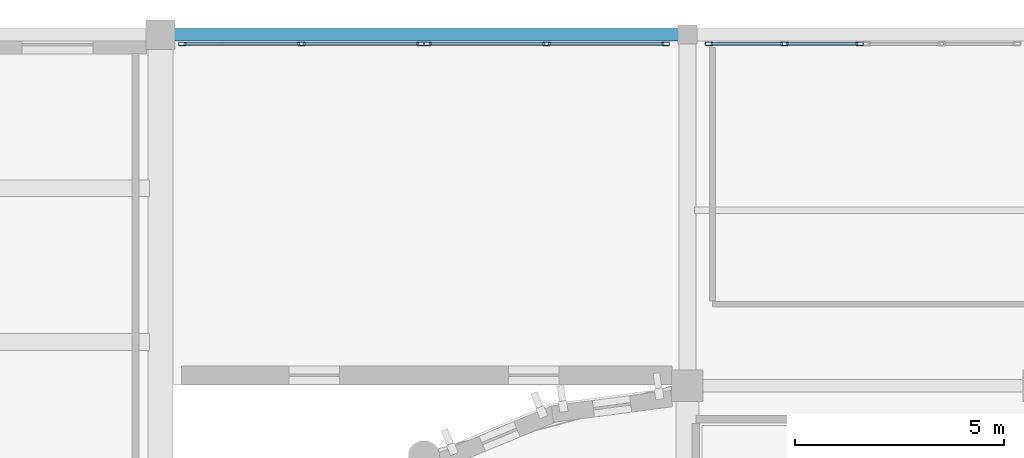
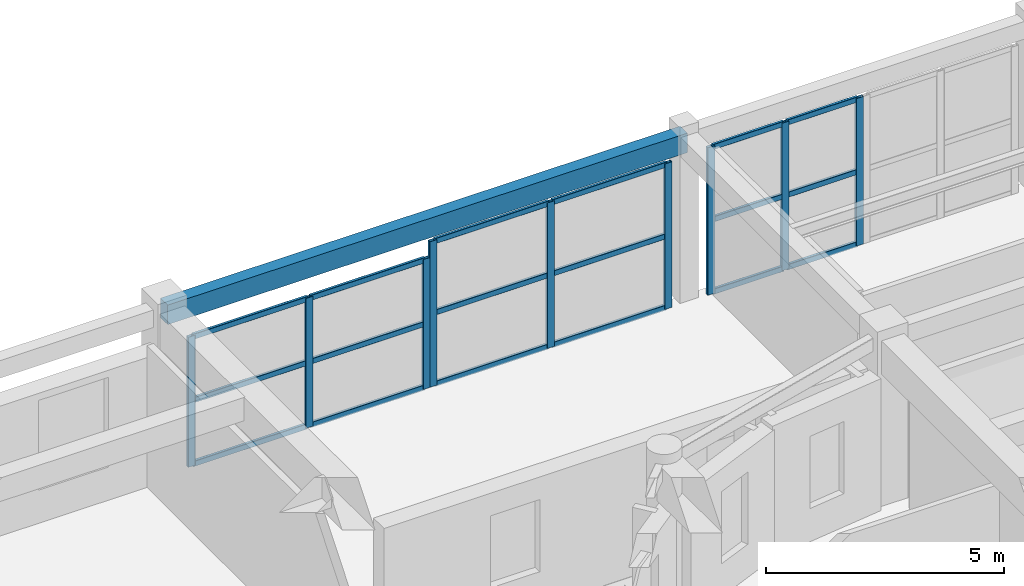
# One storey, part 40 of 91: 27 members, 1 beam, 3 elements without a shape of their own.
"""IFC4 building model written with IfcOpenShell, lengths in metres."""

from ifc_helpers import new_model, si_unit, direction, frame, origin, origin_2d, place, context, subcontext, project, spatial, rectangle, hollow_rectangle, extrude, material, layer, layer_set, material_profile, profile_set, type_object, element, aggregate, save


model = new_model("IFC4")

# Units and contexts
model_context = context("Model", 3, precision=1e-05, world=origin(), true_north=direction((0.0, 1.0)))
body_context = subcontext(model_context, "Body", "Model", "MODEL_VIEW")
ifc_project = project(units=[si_unit("LENGTHUNIT", "METRE"), si_unit("AREAUNIT", "SQUARE_METRE"), si_unit("VOLUMEUNIT", "CUBIC_METRE"), si_unit("PLANEANGLEUNIT", "RADIAN"), si_unit("MASSUNIT", "GRAM", prefix="KILO")], contexts=[model_context])

# Site, building, storey
site_placement = place(None, origin())
site = spatial("IfcSite", under=ifc_project, at=site_placement, CompositionType="ELEMENT")
building_placement = place(site_placement, origin())
building = spatial("IfcBuilding", under=site, at=building_placement, Name="Tarnavel Promenade Courthouse", CompositionType="ELEMENT")
storey_placement = place(building_placement, frame((0.0, 0.0, 9.89990234375)))
storey = spatial("IfcBuildingStorey", under=building, at=storey_placement, Name="L03", CompositionType="ELEMENT", Elevation=9.89990234375)

# Beam
ifc_material_1 = material(Name="Concrete C40/50", Category="concrete")
ifc_material_profile_1 = material_profile(ifc_material_1, rectangle(XDim=0.300048828125, YDim=0.5, at=origin_2d()), Name="RC 300x500")
ifc_profile_set_1 = profile_set([ifc_material_profile_1], Name="Concrete C40/50")
beam_type = type_object("IfcBeamType", Name="Concrete C40/50 BM-SP-300x500 (RC 300x500)", PredefinedType="SPANDREL", material=ifc_profile_set_1)
beam_placement = place(storey_placement, frame((46.199951171875, 112.800048828125, 3.9951171875), z_axis=(1.0, 0.0, 0.0), x_axis=(0.0, 1.0, 0.0)))
element("IfcBeam", 1, at=beam_placement, inside=storey, type_object=beam_type, Name="L03 Primary Longitudinal Beam 1676", PredefinedType="SPANDREL", context=body_context, shape_type="SweptSolid", body=[
    extrude(rectangle(XDim=0.300048828125, YDim=0.5, at=origin_2d()), origin(), (0.0, 0.0, 1.0), 12.60009765625),
])

# Curtain wall, members
ifc_material_2 = material(Name="Thermally Broken Anodised Aluminium Curtain Wall System", Category="aluminium")
ifc_layer = layer(ifc_material_2, 0.199951171875)
ifc_layer_set = layer_set([ifc_layer], Name="Thermally Broken Anodised Aluminium Curtain Wall System")
curtain_wall_type = type_object("IfcCurtainWallType", Name="Thermally Broken Aluminium Triple-Glazed Curtain Wall CW-FOYER", PredefinedType="NOTDEFINED", material=ifc_layer_set)
curtain_wall_1_placement = place(storey_placement, origin())
curtain_wall_1 = element("IfcCurtainWall", 2, at=curtain_wall_1_placement, inside=storey, type_object=curtain_wall_type, Name="L03 North Foyer Curtain Wall A 138", PredefinedType="NOTDEFINED")
ifc_material_3 = material(Name="Thermally Broken Anodised Aluminium Frame", Category="aluminium")
ifc_material_profile_2 = material_profile(ifc_material_3, hollow_rectangle(XDim=0.080078125, YDim=0.179931640625, WallThickness=0.0048828125, InnerFilletRadius=0.0048828125, OuterFilletRadius=0.010009765625, at=origin_2d()), Name="CWM 180x80x5")
ifc_profile_set_2 = profile_set([ifc_material_profile_2], Name="Thermally Broken Anodised Aluminium Frame")
member_type_1 = type_object("IfcMemberType", Name="Thermally Broken Anodised Aluminium CWM-155 (CWM 180x80x5)", PredefinedType="MULLION", material=ifc_profile_set_2)
member_1_placement = place(storey_placement, frame((46.719970703125, 112.580078125, 0.0), z_axis=(0.0, 0.0, 1.0), x_axis=(0.0, 1.0, 0.0)))
member_1 = element("IfcMember", 3, at=member_1_placement, type_object=member_type_1, Name="CW-04 mullion 1", PredefinedType="MULLION", context=body_context, shape_type="SweptSolid", body=[
    extrude(hollow_rectangle(XDim=0.080078125, YDim=0.179931640625, WallThickness=0.0048828125, InnerFilletRadius=0.0048828125, OuterFilletRadius=0.010009765625, at=origin_2d()), origin(), (0.0, 0.0, 1.0), 3.330078125),
])
member_2_placement = place(storey_placement, frame((49.570068359375, 112.580078125, 0.0), z_axis=(0.0, 0.0, 1.0), x_axis=(0.0, 1.0, 0.0)))
member_2 = element("IfcMember", 4, at=member_2_placement, type_object=member_type_1, Name="CW-04 mullion 2", PredefinedType="MULLION", context=body_context, shape_type="SweptSolid", body=[
    extrude(hollow_rectangle(XDim=0.080078125, YDim=0.179931640625, WallThickness=0.0048828125, InnerFilletRadius=0.0048828125, OuterFilletRadius=0.010009765625, at=origin_2d()), origin(), (0.0, 0.0, 1.0), 3.330078125),
])
member_3_placement = place(storey_placement, frame((52.419921875, 112.580078125, 0.0), z_axis=(0.0, 0.0, 1.0), x_axis=(0.0, 1.0, 0.0)))
member_3 = element("IfcMember", 5, at=member_3_placement, type_object=member_type_1, Name="CW-04 mullion 3", PredefinedType="MULLION", context=body_context, shape_type="SweptSolid", body=[
    extrude(hollow_rectangle(XDim=0.080078125, YDim=0.179931640625, WallThickness=0.0048828125, InnerFilletRadius=0.0048828125, OuterFilletRadius=0.010009765625, at=origin_2d()), origin(), (0.0, 0.0, 1.0), 3.330078125),
])

curtain_wall_2_placement = place(storey_placement, origin())
curtain_wall_2 = element("IfcCurtainWall", 6, at=curtain_wall_2_placement, inside=storey, type_object=curtain_wall_type, Name="L03 North Foyer Curtain Wall B 139", PredefinedType="NOTDEFINED")
member_4_placement = place(storey_placement, frame((52.580078125, 112.580078125, 0.0), z_axis=(0.0, 0.0, 1.0), x_axis=(0.0, 1.0, 0.0)))
member_4 = element("IfcMember", 7, at=member_4_placement, type_object=member_type_1, Name="CW-04 mullion 1", PredefinedType="MULLION", context=body_context, shape_type="SweptSolid", body=[
    extrude(hollow_rectangle(XDim=0.080078125, YDim=0.179931640625, WallThickness=0.0048828125, InnerFilletRadius=0.0048828125, OuterFilletRadius=0.010009765625, at=origin_2d()), origin(), (0.0, 0.0, 1.0), 3.72998046875),
])
member_5_placement = place(storey_placement, frame((55.429931640625, 112.580078125, 0.0), z_axis=(0.0, 0.0, 1.0), x_axis=(0.0, 1.0, 0.0)))
member_5 = element("IfcMember", 8, at=member_5_placement, type_object=member_type_1, Name="CW-04 mullion 2", PredefinedType="MULLION", context=body_context, shape_type="SweptSolid", body=[
    extrude(hollow_rectangle(XDim=0.080078125, YDim=0.179931640625, WallThickness=0.0048828125, InnerFilletRadius=0.0048828125, OuterFilletRadius=0.010009765625, at=origin_2d()), origin(), (0.0, 0.0, 1.0), 3.72998046875),
])
member_6_placement = place(storey_placement, frame((58.280029296875, 112.580078125, 0.0), z_axis=(0.0, 0.0, 1.0), x_axis=(0.0, 1.0, 0.0)))
member_6 = element("IfcMember", 9, at=member_6_placement, type_object=member_type_1, Name="CW-04 mullion 3", PredefinedType="MULLION", context=body_context, shape_type="SweptSolid", body=[
    extrude(hollow_rectangle(XDim=0.080078125, YDim=0.179931640625, WallThickness=0.0048828125, InnerFilletRadius=0.0048828125, OuterFilletRadius=0.010009765625, at=origin_2d()), origin(), (0.0, 0.0, 1.0), 3.72998046875),
])

curtain_wall_3_placement = place(storey_placement, origin())
curtain_wall_3 = element("IfcCurtainWall", 10, at=curtain_wall_3_placement, inside=storey, type_object=curtain_wall_type, Name="L03 North Foyer Curtain Wall A 140", PredefinedType="NOTDEFINED")
member_7_placement = place(storey_placement, frame((59.320068359375, 112.580078125, 0.0), z_axis=(0.0, 0.0, 1.0), x_axis=(0.0, 1.0, 0.0)))
member_7 = element("IfcMember", 11, at=member_7_placement, type_object=member_type_1, Name="CW-04 mullion 1", PredefinedType="MULLION", context=body_context, shape_type="SweptSolid", body=[
    extrude(hollow_rectangle(XDim=0.080078125, YDim=0.179931640625, WallThickness=0.0048828125, InnerFilletRadius=0.0048828125, OuterFilletRadius=0.010009765625, at=origin_2d()), origin(), (0.0, 0.0, 1.0), 3.780029296875),
])
member_8_placement = place(storey_placement, frame((61.1201171875, 112.580078125, 0.0), z_axis=(0.0, 0.0, 1.0), x_axis=(0.0, 1.0, 0.0)))
member_8 = element("IfcMember", 12, at=member_8_placement, type_object=member_type_1, Name="CW-04 mullion 2", PredefinedType="MULLION", context=body_context, shape_type="SweptSolid", body=[
    extrude(hollow_rectangle(XDim=0.080078125, YDim=0.179931640625, WallThickness=0.0048828125, InnerFilletRadius=0.0048828125, OuterFilletRadius=0.010009765625, at=origin_2d()), origin(), (0.0, 0.0, 1.0), 3.780029296875),
])
member_9_placement = place(storey_placement, frame((62.919921875, 112.580078125, 0.0), z_axis=(0.0, 0.0, 1.0), x_axis=(0.0, 1.0, 0.0)))
member_9 = element("IfcMember", 13, at=member_9_placement, type_object=member_type_1, Name="CW-04 mullion 3", PredefinedType="MULLION", context=body_context, shape_type="SweptSolid", body=[
    extrude(hollow_rectangle(XDim=0.080078125, YDim=0.179931640625, WallThickness=0.0048828125, InnerFilletRadius=0.0048828125, OuterFilletRadius=0.010009765625, at=origin_2d()), origin(), (0.0, 0.0, 1.0), 3.780029296875),
])

# Member
ifc_material_profile_3 = material_profile(ifc_material_3, hollow_rectangle(XDim=0.070068359375, YDim=0.139892578125, WallThickness=0.0048828125, InnerFilletRadius=0.0048828125, OuterFilletRadius=0.010009765625, at=origin_2d()), Name="CWT 140x70x5")
ifc_profile_set_3 = profile_set([ifc_material_profile_3], Name="Thermally Broken Anodised Aluminium Frame")
member_type_2 = type_object("IfcMemberType", Name="Thermally Broken Anodised Aluminium CWT-125 (CWT 140x70x5)", PredefinedType="USERDEFINED", material=ifc_profile_set_3)
member_10_placement = place(storey_placement, frame((46.760009765625, 112.580078125, 0.03515625), z_axis=(1.0, 0.0, 0.0), x_axis=(0.0, 1.0, 0.0)))
member_10 = element("IfcMember", 14, at=member_10_placement, type_object=member_type_2, Name="CW-04 transom 1.1", ObjectType="TRANSOM", PredefinedType="USERDEFINED", context=body_context, shape_type="SweptSolid", body=[
    extrude(hollow_rectangle(XDim=0.070068359375, YDim=0.139892578125, WallThickness=0.0048828125, InnerFilletRadius=0.0048828125, OuterFilletRadius=0.010009765625, at=origin_2d()), origin(), (0.0, 0.0, 1.0), 2.77001953125),
])

member_11_placement = place(storey_placement, frame((46.760009765625, 112.580078125, 1.6650390625), z_axis=(1.0, 0.0, 0.0), x_axis=(0.0, 1.0, 0.0)))
member_11 = element("IfcMember", 15, at=member_11_placement, type_object=member_type_2, Name="CW-04 transom 1.2", ObjectType="TRANSOM", PredefinedType="USERDEFINED", context=body_context, shape_type="SweptSolid", body=[
    extrude(hollow_rectangle(XDim=0.070068359375, YDim=0.139892578125, WallThickness=0.0048828125, InnerFilletRadius=0.0048828125, OuterFilletRadius=0.010009765625, at=origin_2d()), origin(), (0.0, 0.0, 1.0), 2.77001953125),
])

member_12_placement = place(storey_placement, frame((46.760009765625, 112.580078125, 3.295166015625), z_axis=(1.0, 0.0, 0.0), x_axis=(0.0, 1.0, 0.0)))
member_12 = element("IfcMember", 16, at=member_12_placement, type_object=member_type_2, Name="CW-04 transom 1.3", ObjectType="TRANSOM", PredefinedType="USERDEFINED", context=body_context, shape_type="SweptSolid", body=[
    extrude(hollow_rectangle(XDim=0.070068359375, YDim=0.139892578125, WallThickness=0.0048828125, InnerFilletRadius=0.0048828125, OuterFilletRadius=0.010009765625, at=origin_2d()), origin(), (0.0, 0.0, 1.0), 2.77001953125),
])

member_13_placement = place(storey_placement, frame((49.610107421875, 112.580078125, 0.03515625), z_axis=(1.0, 0.0, 0.0), x_axis=(0.0, 1.0, 0.0)))
member_13 = element("IfcMember", 17, at=member_13_placement, type_object=member_type_2, Name="CW-04 transom 2.1", ObjectType="TRANSOM", PredefinedType="USERDEFINED", context=body_context, shape_type="SweptSolid", body=[
    extrude(hollow_rectangle(XDim=0.070068359375, YDim=0.139892578125, WallThickness=0.0048828125, InnerFilletRadius=0.0048828125, OuterFilletRadius=0.010009765625, at=origin_2d()), origin(), (0.0, 0.0, 1.0), 2.769775390625),
])

member_14_placement = place(storey_placement, frame((49.610107421875, 112.580078125, 1.6650390625), z_axis=(1.0, 0.0, 0.0), x_axis=(0.0, 1.0, 0.0)))
member_14 = element("IfcMember", 18, at=member_14_placement, type_object=member_type_2, Name="CW-04 transom 2.2", ObjectType="TRANSOM", PredefinedType="USERDEFINED", context=body_context, shape_type="SweptSolid", body=[
    extrude(hollow_rectangle(XDim=0.070068359375, YDim=0.139892578125, WallThickness=0.0048828125, InnerFilletRadius=0.0048828125, OuterFilletRadius=0.010009765625, at=origin_2d()), origin(), (0.0, 0.0, 1.0), 2.769775390625),
])

member_15_placement = place(storey_placement, frame((49.610107421875, 112.580078125, 3.295166015625), z_axis=(1.0, 0.0, 0.0), x_axis=(0.0, 1.0, 0.0)))
member_15 = element("IfcMember", 19, at=member_15_placement, type_object=member_type_2, Name="CW-04 transom 2.3", ObjectType="TRANSOM", PredefinedType="USERDEFINED", context=body_context, shape_type="SweptSolid", body=[
    extrude(hollow_rectangle(XDim=0.070068359375, YDim=0.139892578125, WallThickness=0.0048828125, InnerFilletRadius=0.0048828125, OuterFilletRadius=0.010009765625, at=origin_2d()), origin(), (0.0, 0.0, 1.0), 2.769775390625),
])

aggregate(curtain_wall_1, [member_1, member_2, member_3, member_10, member_11, member_12, member_13, member_14, member_15])

member_16_placement = place(storey_placement, frame((52.6201171875, 112.580078125, 0.03515625), z_axis=(1.0, 0.0, 0.0), x_axis=(0.0, 1.0, 0.0)))
member_16 = element("IfcMember", 20, at=member_16_placement, type_object=member_type_2, Name="CW-04 transom 1.1", ObjectType="TRANSOM", PredefinedType="USERDEFINED", context=body_context, shape_type="SweptSolid", body=[
    extrude(hollow_rectangle(XDim=0.070068359375, YDim=0.139892578125, WallThickness=0.0048828125, InnerFilletRadius=0.0048828125, OuterFilletRadius=0.010009765625, at=origin_2d()), origin(), (0.0, 0.0, 1.0), 2.769775390625),
])

member_17_placement = place(storey_placement, frame((52.6201171875, 112.580078125, 1.864990234375), z_axis=(1.0, 0.0, 0.0), x_axis=(0.0, 1.0, 0.0)))
member_17 = element("IfcMember", 21, at=member_17_placement, type_object=member_type_2, Name="CW-04 transom 1.2", ObjectType="TRANSOM", PredefinedType="USERDEFINED", context=body_context, shape_type="SweptSolid", body=[
    extrude(hollow_rectangle(XDim=0.070068359375, YDim=0.139892578125, WallThickness=0.0048828125, InnerFilletRadius=0.0048828125, OuterFilletRadius=0.010009765625, at=origin_2d()), origin(), (0.0, 0.0, 1.0), 2.769775390625),
])

member_18_placement = place(storey_placement, frame((52.6201171875, 112.580078125, 3.695068359375), z_axis=(1.0, 0.0, 0.0), x_axis=(0.0, 1.0, 0.0)))
member_18 = element("IfcMember", 22, at=member_18_placement, type_object=member_type_2, Name="CW-04 transom 1.3", ObjectType="TRANSOM", PredefinedType="USERDEFINED", context=body_context, shape_type="SweptSolid", body=[
    extrude(hollow_rectangle(XDim=0.070068359375, YDim=0.139892578125, WallThickness=0.0048828125, InnerFilletRadius=0.0048828125, OuterFilletRadius=0.010009765625, at=origin_2d()), origin(), (0.0, 0.0, 1.0), 2.769775390625),
])

member_19_placement = place(storey_placement, frame((55.469970703125, 112.580078125, 0.03515625), z_axis=(1.0, 0.0, 0.0), x_axis=(0.0, 1.0, 0.0)))
member_19 = element("IfcMember", 23, at=member_19_placement, type_object=member_type_2, Name="CW-04 transom 2.1", ObjectType="TRANSOM", PredefinedType="USERDEFINED", context=body_context, shape_type="SweptSolid", body=[
    extrude(hollow_rectangle(XDim=0.070068359375, YDim=0.139892578125, WallThickness=0.0048828125, InnerFilletRadius=0.0048828125, OuterFilletRadius=0.010009765625, at=origin_2d()), origin(), (0.0, 0.0, 1.0), 2.77001953125),
])

member_20_placement = place(storey_placement, frame((55.469970703125, 112.580078125, 1.864990234375), z_axis=(1.0, 0.0, 0.0), x_axis=(0.0, 1.0, 0.0)))
member_20 = element("IfcMember", 24, at=member_20_placement, type_object=member_type_2, Name="CW-04 transom 2.2", ObjectType="TRANSOM", PredefinedType="USERDEFINED", context=body_context, shape_type="SweptSolid", body=[
    extrude(hollow_rectangle(XDim=0.070068359375, YDim=0.139892578125, WallThickness=0.0048828125, InnerFilletRadius=0.0048828125, OuterFilletRadius=0.010009765625, at=origin_2d()), origin(), (0.0, 0.0, 1.0), 2.77001953125),
])

member_21_placement = place(storey_placement, frame((55.469970703125, 112.580078125, 3.695068359375), z_axis=(1.0, 0.0, 0.0), x_axis=(0.0, 1.0, 0.0)))
member_21 = element("IfcMember", 25, at=member_21_placement, type_object=member_type_2, Name="CW-04 transom 2.3", ObjectType="TRANSOM", PredefinedType="USERDEFINED", context=body_context, shape_type="SweptSolid", body=[
    extrude(hollow_rectangle(XDim=0.070068359375, YDim=0.139892578125, WallThickness=0.0048828125, InnerFilletRadius=0.0048828125, OuterFilletRadius=0.010009765625, at=origin_2d()), origin(), (0.0, 0.0, 1.0), 2.77001953125),
])

aggregate(curtain_wall_2, [member_4, member_5, member_6, member_16, member_17, member_18, member_19, member_20, member_21])

member_22_placement = place(storey_placement, frame((59.360107421875, 112.580078125, 0.03515625), z_axis=(1.0, 0.0, 0.0), x_axis=(0.0, 1.0, 0.0)))
member_22 = element("IfcMember", 26, at=member_22_placement, type_object=member_type_2, Name="CW-04 transom 1.1", ObjectType="TRANSOM", PredefinedType="USERDEFINED", context=body_context, shape_type="SweptSolid", body=[
    extrude(hollow_rectangle(XDim=0.070068359375, YDim=0.139892578125, WallThickness=0.0048828125, InnerFilletRadius=0.0048828125, OuterFilletRadius=0.010009765625, at=origin_2d()), origin(), (0.0, 0.0, 1.0), 1.719970703125),
])

member_23_placement = place(storey_placement, frame((59.360107421875, 112.580078125, 1.89013671875), z_axis=(1.0, 0.0, 0.0), x_axis=(0.0, 1.0, 0.0)))
member_23 = element("IfcMember", 27, at=member_23_placement, type_object=member_type_2, Name="CW-04 transom 1.2", ObjectType="TRANSOM", PredefinedType="USERDEFINED", context=body_context, shape_type="SweptSolid", body=[
    extrude(hollow_rectangle(XDim=0.070068359375, YDim=0.139892578125, WallThickness=0.0048828125, InnerFilletRadius=0.0048828125, OuterFilletRadius=0.010009765625, at=origin_2d()), origin(), (0.0, 0.0, 1.0), 1.719970703125),
])

member_24_placement = place(storey_placement, frame((59.360107421875, 112.580078125, 3.7451171875), z_axis=(1.0, 0.0, 0.0), x_axis=(0.0, 1.0, 0.0)))
member_24 = element("IfcMember", 28, at=member_24_placement, type_object=member_type_2, Name="CW-04 transom 1.3", ObjectType="TRANSOM", PredefinedType="USERDEFINED", context=body_context, shape_type="SweptSolid", body=[
    extrude(hollow_rectangle(XDim=0.070068359375, YDim=0.139892578125, WallThickness=0.0048828125, InnerFilletRadius=0.0048828125, OuterFilletRadius=0.010009765625, at=origin_2d()), origin(), (0.0, 0.0, 1.0), 1.719970703125),
])

member_25_placement = place(storey_placement, frame((61.159912109375, 112.580078125, 0.03515625), z_axis=(1.0, 0.0, 0.0), x_axis=(0.0, 1.0, 0.0)))
member_25 = element("IfcMember", 29, at=member_25_placement, type_object=member_type_2, Name="CW-04 transom 2.1", ObjectType="TRANSOM", PredefinedType="USERDEFINED", context=body_context, shape_type="SweptSolid", body=[
    extrude(hollow_rectangle(XDim=0.070068359375, YDim=0.139892578125, WallThickness=0.0048828125, InnerFilletRadius=0.0048828125, OuterFilletRadius=0.010009765625, at=origin_2d()), origin(), (0.0, 0.0, 1.0), 1.719970703125),
])

member_26_placement = place(storey_placement, frame((61.159912109375, 112.580078125, 1.89013671875), z_axis=(1.0, 0.0, 0.0), x_axis=(0.0, 1.0, 0.0)))
member_26 = element("IfcMember", 30, at=member_26_placement, type_object=member_type_2, Name="CW-04 transom 2.2", ObjectType="TRANSOM", PredefinedType="USERDEFINED", context=body_context, shape_type="SweptSolid", body=[
    extrude(hollow_rectangle(XDim=0.070068359375, YDim=0.139892578125, WallThickness=0.0048828125, InnerFilletRadius=0.0048828125, OuterFilletRadius=0.010009765625, at=origin_2d()), origin(), (0.0, 0.0, 1.0), 1.719970703125),
])

member_27_placement = place(storey_placement, frame((61.159912109375, 112.580078125, 3.7451171875), z_axis=(1.0, 0.0, 0.0), x_axis=(0.0, 1.0, 0.0)))
member_27 = element("IfcMember", 31, at=member_27_placement, type_object=member_type_2, Name="CW-04 transom 2.3", ObjectType="TRANSOM", PredefinedType="USERDEFINED", context=body_context, shape_type="SweptSolid", body=[
    extrude(hollow_rectangle(XDim=0.070068359375, YDim=0.139892578125, WallThickness=0.0048828125, InnerFilletRadius=0.0048828125, OuterFilletRadius=0.010009765625, at=origin_2d()), origin(), (0.0, 0.0, 1.0), 1.719970703125),
])

aggregate(curtain_wall_3, [member_7, member_8, member_9, member_22, member_23, member_24, member_25, member_26, member_27])

save(model, "model.ifc")
